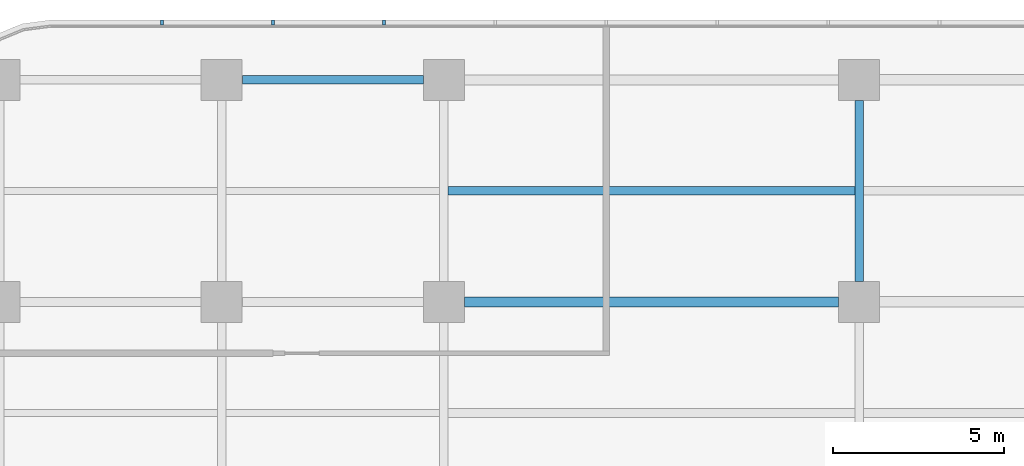
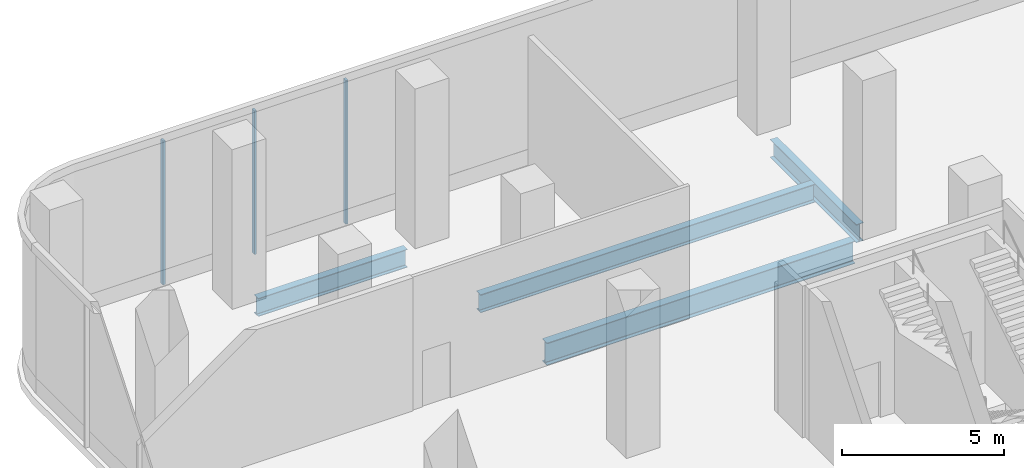
# One storey, part 21 of 41: 4 beams, 3 members, 1 element without a shape of its own.
"""IFC4 building model written with IfcOpenShell, lengths in metres."""

from ifc_helpers import new_model, si_unit, direction, frame, origin, origin_2d, place, context, subcontext, project, spatial, rectangle, i_section, extrude, source, transform, mapped, material, layer, layer_set, material_profile, profile_set, type_object, element, aggregate, save


model = new_model("IFC4")

# Units and contexts
model_context = context("Model", 3, precision=1e-05, world=origin(), true_north=direction((0.0, 1.0)))
body_context = subcontext(model_context, "Body", "Model", "MODEL_VIEW")
ifc_project = project(units=[si_unit("LENGTHUNIT", "METRE"), si_unit("AREAUNIT", "SQUARE_METRE"), si_unit("VOLUMEUNIT", "CUBIC_METRE"), si_unit("PLANEANGLEUNIT", "RADIAN"), si_unit("MASSUNIT", "GRAM", prefix="KILO")], contexts=[model_context])

# Site, building, storey
site_placement = place(None, origin())
site = spatial("IfcSite", under=ifc_project, at=site_placement, CompositionType="ELEMENT")
building_placement = place(site_placement, origin())
building = spatial("IfcBuilding", under=site, at=building_placement, Name="Trellis Farm Tower", CompositionType="ELEMENT")
storey_placement = place(building_placement, frame((0.0, 0.0, 8.0)))
storey = spatial("IfcBuildingStorey", under=building, at=storey_placement, Name="L01", CompositionType="ELEMENT", Elevation=8.0)

# Beams
ifc_material_1 = material(Name="Steel S355", Category="steel")
ifc_material_profile_1 = material_profile(ifc_material_1, i_section(OverallWidth=0.253662109375, OverallDepth=0.68359375, WebThickness=0.012451171875, FlangeThickness=0.021728515625, FilletRadius=0.01513671875, at=origin_2d()), Name="UB 686x254x140")
ifc_profile_set_1 = profile_set([ifc_material_profile_1], Name="Steel S355")
beam_type_1 = type_object("IfcBeamType", Name="UB 686x254x140", PredefinedType="BEAM", material=ifc_profile_set_1)
shared_shape_1 = source(origin(), body_context, "Body", "SweptSolid", [
    extrude(i_section(OverallWidth=0.253662109375, OverallDepth=0.68359375, WebThickness=0.012451171875, FlangeThickness=0.021728515625, FilletRadius=0.01513671875, at=origin_2d()), origin(), (0.0, 0.0, 1.0), 5.2998046875),
])
for number, where, z_axis, x_axis, name in (
    (1, (-36.64990234375, 43.75, -0.641845703125), (1.0, 0.0, 0.0), (0.0, 1.0, 0.0), "Girder"),
    (2, (-18.60009765625, 37.85009765625, -0.641845703125), (0.0, 1.0, 0.0), (-1.0, 0.0, 0.0), "Girder"),
):
    element("IfcBeam", number, at=place(storey_placement, frame(where, z_axis=z_axis, x_axis=x_axis)), inside=storey, type_object=beam_type_1, Name=name, PredefinedType="BEAM", context=body_context, shape_type="MappedRepresentation", body=[
        mapped(shared_shape_1, transform((0.0, 0.0, 0.0))),
    ])
ifc_material_profile_2 = material_profile(ifc_material_1, i_section(OverallWidth=0.29248046875, OverallDepth=0.8408203125, WebThickness=0.0146484375, FlangeThickness=0.021728515625, FilletRadius=0.017822265625, at=origin_2d()), Name="UB 838x292x194")
ifc_profile_set_2 = profile_set([ifc_material_profile_2], Name="Steel S355")
beam_type_2 = type_object("IfcBeamType", Name="UB 838x292x194", PredefinedType="BEAM", material=ifc_profile_set_2)
shared_shape_2 = source(origin(), body_context, "Body", "SweptSolid", [
    extrude(i_section(OverallWidth=0.29248046875, OverallDepth=0.8408203125, WebThickness=0.0146484375, FlangeThickness=0.021728515625, FilletRadius=0.017822265625, at=origin_2d()), origin(), (0.0, 0.0, 1.0), 10.949951171875),
])
beam_1_placement = place(storey_placement, frame((-30.14990234375, 37.25, -0.72021484375), z_axis=(1.0, 0.0, 0.0), x_axis=(0.0, 1.0, 0.0)))
element("IfcBeam", 3, at=beam_1_placement, inside=storey, type_object=beam_type_2, Name="Girder", PredefinedType="BEAM", context=body_context, shape_type="MappedRepresentation", body=[
    mapped(shared_shape_2, transform((0.0, 0.0, 0.0))),
])
ifc_material_profile_3 = material_profile(ifc_material_1, i_section(OverallWidth=0.253662109375, OverallDepth=0.68359375, WebThickness=0.012451171875, FlangeThickness=0.021728515625, FilletRadius=0.01513671875, at=origin_2d()), Name="UB 686x254x140")
ifc_profile_set_3 = profile_set([ifc_material_profile_3], Name="Steel S355")
beam_type_3 = type_object("IfcBeamType", Name="UB 686x254x140 joist", PredefinedType="JOIST", material=ifc_profile_set_3)
shared_shape_3 = source(origin(), body_context, "Body", "SweptSolid", [
    extrude(i_section(OverallWidth=0.253662109375, OverallDepth=0.68359375, WebThickness=0.012451171875, FlangeThickness=0.021728515625, FilletRadius=0.01513671875, at=origin_2d()), origin(), (0.0, 0.0, 1.0), 11.896240234375),
])
beam_2_placement = place(storey_placement, frame((-30.623046875, 40.5, -0.641845703125), z_axis=(1.0, 0.0, 0.0), x_axis=(0.0, 1.0, 0.0)))
element("IfcBeam", 4, at=beam_2_placement, inside=storey, type_object=beam_type_3, Name="Floor beam", PredefinedType="JOIST", context=body_context, shape_type="MappedRepresentation", body=[
    mapped(shared_shape_3, transform((0.0, 0.0, 0.0))),
])

# Curtain wall, members
ifc_material_2 = material(Name="Aluminium and glass curtain wall", Category="aluminium")
ifc_layer = layer(ifc_material_2, 0.201904296875)
ifc_layer_set = layer_set([ifc_layer], Name="SHOPFRONT CURTAIN WALL CW2")
curtain_wall_type = type_object("IfcCurtainWallType", Name="SHOPFRONT CURTAIN WALL CW2", PredefinedType="NOTDEFINED", material=ifc_layer_set)
curtain_wall_placement = place(storey_placement, origin())
curtain_wall = element("IfcCurtainWall", 5, at=curtain_wall_placement, inside=storey, type_object=curtain_wall_type, Name="CW2 004", PredefinedType="NOTDEFINED")
ifc_material_3 = material(Name="Aluminium extrusion 6063-T6", Category="aluminium")
ifc_material_profile_4 = material_profile(ifc_material_3, rectangle(XDim=0.080078125, YDim=0.14990234375, at=origin_2d()), Name="MULLION 80x150")
ifc_profile_set_4 = profile_set([ifc_material_profile_4], Name="Aluminium extrusion 6063-T6")
member_type = type_object("IfcMemberType", Name="CW2 MULLION 80x150", PredefinedType="MULLION", material=ifc_profile_set_4)
shared_shape_4 = source(origin(), body_context, "Body", "SweptSolid", [
    extrude(rectangle(XDim=0.080078125, YDim=0.14990234375, at=origin_2d()), origin(), (0.0, 0.0, 1.0), 5.39990234375),
])
member_1_placement = place(storey_placement, frame((-32.5, 45.425048828125, 0.0), z_axis=(0.0, 0.0, 1.0), x_axis=(-1.0, 0.0, 0.0)))
member_1 = element("IfcMember", 6, at=member_1_placement, type_object=member_type, Name="MU2 004-08", PredefinedType="MULLION", context=body_context, shape_type="MappedRepresentation", body=[
    mapped(shared_shape_4, transform((0.0, 0.0, 0.0))),
])
member_2_placement = place(storey_placement, frame((-35.75, 45.425048828125, 0.0), z_axis=(0.0, 0.0, 1.0), x_axis=(-1.0, 0.0, 0.0)))
member_2 = element("IfcMember", 7, at=member_2_placement, type_object=member_type, Name="MU2 004-09", PredefinedType="MULLION", context=body_context, shape_type="MappedRepresentation", body=[
    mapped(shared_shape_4, transform((0.0, 0.0, 0.0))),
])
member_3_placement = place(storey_placement, frame((-39.0, 45.425048828125, 0.0), z_axis=(0.0, 0.0, 1.0), x_axis=(-1.0, 0.0, 0.0)))
member_3 = element("IfcMember", 8, at=member_3_placement, type_object=member_type, Name="MU2 004-10", PredefinedType="MULLION", context=body_context, shape_type="MappedRepresentation", body=[
    mapped(shared_shape_4, transform((0.0, 0.0, 0.0))),
])
aggregate(curtain_wall, [member_1, member_2, member_3])

save(model, "model.ifc")
